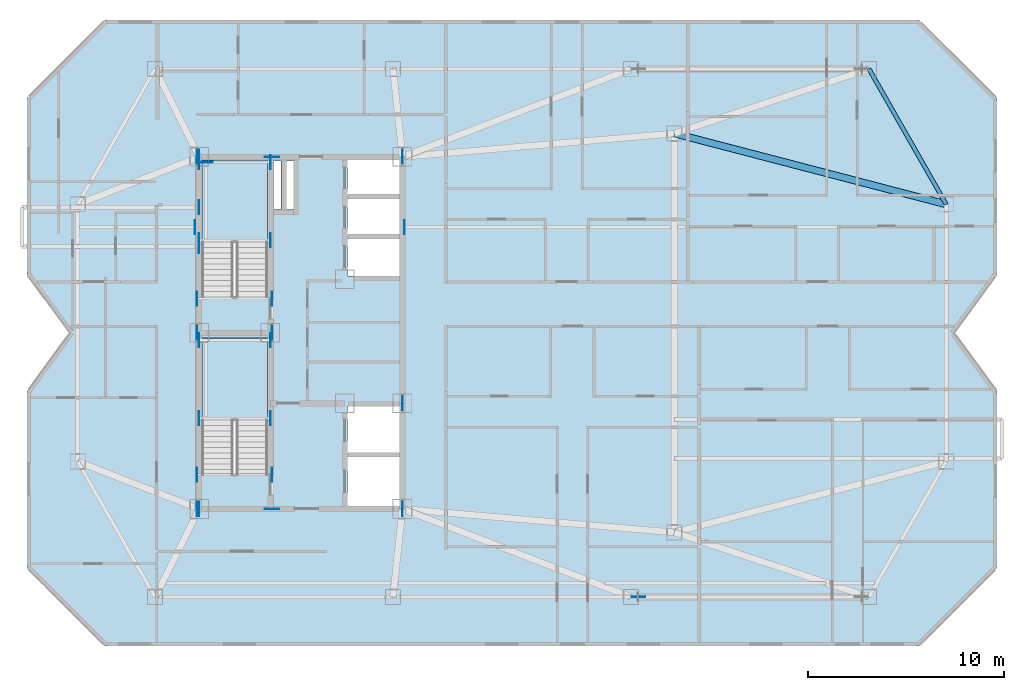
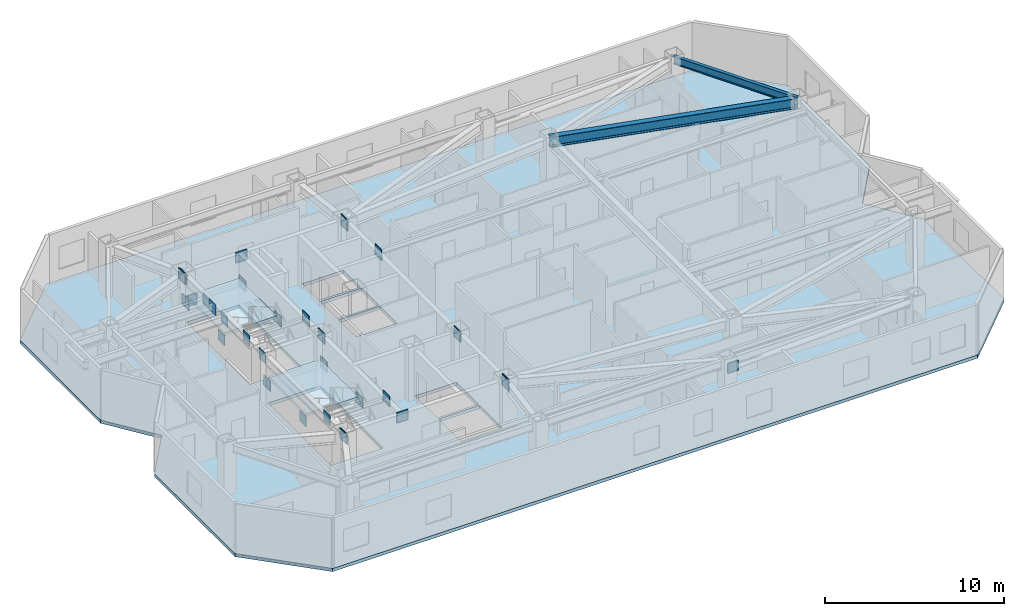
# One storey, part 2 of 10: 31 plates, 3 slabs, 2 beams, 2 elements without a shape of their own.
"""IFC4 building model written with IfcOpenShell, lengths in metres."""

from ifc_helpers import new_model, si_unit, direction, frame, origin, origin_2d, place, context, subcontext, project, spatial, polyline, rectangle, i_section, outline, extrude, material, layer, layer_set, material_profile, profile_set, type_object, element, aggregate, save


model = new_model("IFC4")

# Units and contexts
model_context = context("Model", 3, precision=1e-05, world=origin(), true_north=direction((0.0, 1.0)))
body_context = subcontext(model_context, "Body", "Model", "MODEL_VIEW")
ifc_project = project(units=[si_unit("LENGTHUNIT", "METRE"), si_unit("AREAUNIT", "SQUARE_METRE"), si_unit("VOLUMEUNIT", "CUBIC_METRE"), si_unit("PLANEANGLEUNIT", "RADIAN"), si_unit("MASSUNIT", "GRAM", prefix="KILO")], contexts=[model_context])

# Site, building, storey
site_placement = place(None, origin())
site = spatial("IfcSite", under=ifc_project, at=site_placement, CompositionType="ELEMENT")
building_placement = place(site_placement, origin())
building = spatial("IfcBuilding", under=site, at=building_placement, Name="Khamvora Tower", CompositionType="ELEMENT")
storey_placement = place(building_placement, frame((0.0, 0.0, 257.35009765625)))
storey = spatial("IfcBuildingStorey", under=building, at=storey_placement, Name="L66", CompositionType="ELEMENT", Elevation=257.35009765625)

# Beams
ifc_material_1 = material(Name="Steel S355", Category="steel")
ifc_material_profile_1 = material_profile(ifc_material_1, i_section(OverallWidth=0.35498046875, OverallDepth=0.695068359375, WebThickness=0.014892578125, FlangeThickness=0.02490234375, FilletRadius=0.01611328125, at=origin_2d()), Name="W690x217")
ifc_profile_set_1 = profile_set([ifc_material_profile_1], Name="Steel S355")
beam_type_1 = type_object("IfcBeamType", Name="BM-PG-W690x217", PredefinedType="BEAM", material=ifc_profile_set_1)
beam_1_placement = place(storey_placement, frame((53.300048828125, 38.199951171875, 3.081787109375), z_axis=(0.967635318494, -0.252352710314, 0.0), x_axis=(0.252352710314, 0.967635318494, 0.0)))
element("IfcBeam", 1, at=beam_1_placement, inside=storey, type_object=beam_type_1, Name="L66 primary floor girder E2", PredefinedType="BEAM", context=body_context, shape_type="SweptSolid", body=[
    extrude(i_section(OverallWidth=0.35498046875, OverallDepth=0.695068359375, WebThickness=0.014892578125, FlangeThickness=0.02490234375, FilletRadius=0.01611328125, at=origin_2d()), origin(), (0.0, 0.0, 1.0), 14.36474609375),
])
ifc_material_profile_2 = material_profile(ifc_material_1, i_section(OverallWidth=0.208984375, OverallDepth=0.532958984375, WebThickness=0.010009765625, FlangeThickness=0.01611328125, FilletRadius=0.013916015625, at=origin_2d()), Name="W530x92")
ifc_profile_set_2 = profile_set([ifc_material_profile_2], Name="Steel S355")
beam_type_2 = type_object("IfcBeamType", Name="BM-SP-W530x92", PredefinedType="SPANDREL", material=ifc_profile_set_2)
beam_2_placement = place(storey_placement, frame((67.199951171875, 34.574951171875, 3.162841796875), z_axis=(-0.495456118564, 0.868632968853, 0.0), x_axis=(-0.868632968853, -0.495456118564, 0.0)))
element("IfcBeam", 2, at=beam_2_placement, inside=storey, type_object=beam_type_2, Name="L66 perimeter spandrel beam E2-N4", PredefinedType="SPANDREL", context=body_context, shape_type="SweptSolid", body=[
    extrude(i_section(OverallWidth=0.208984375, OverallDepth=0.532958984375, WebThickness=0.010009765625, FlangeThickness=0.01611328125, FilletRadius=0.013916015625, at=origin_2d()), origin(), (0.0, 0.0, 1.0), 7.972412109375),
])

# Plates
ifc_material_2 = material(Name="Steel S460", Category="steel")
ifc_layer_1 = layer(ifc_material_2, 0.034912109375)
ifc_layer_set_1 = layer_set([ifc_layer_1], Name="Steel S460")
plate_type_1 = type_object("IfcPlateType", Name="PL-EMB-35", PredefinedType="SHEET", material=ifc_layer_set_1)
for number, where, z_axis, x_axis, name in (
    (3, (29.0, 23.635009765625, 1.1337890625), (0.0, 0.0, 1.0), (1.0, 0.0, 0.0), "L66 core shear wall cast-in embed plate 1916"),
    (4, (32.64990234375, 23.635009765625, 1.1337890625), (0.0, 0.0, 1.0), (1.0, 0.0, 0.0), "L66 core shear wall cast-in embed plate 1917"),
    (5, (29.0, 27.6298828125, 1.1337890625), (0.0, 0.0, 1.0), (1.0, 0.0, 0.0), "L66 core shear wall cast-in embed plate 1918"),
    (6, (32.64990234375, 27.6298828125, 1.1337890625), (0.0, 0.0, 1.0), (1.0, 0.0, 0.0), "L66 core shear wall cast-in embed plate 1919"),
    (7, (29.0, 32.735107421875, 1.1337890625), (0.0, 0.0, 1.0), (1.0, 0.0, 0.0), "L66 core shear wall cast-in embed plate 1920"),
    (8, (32.64990234375, 32.735107421875, 1.1337890625), (0.0, 0.0, 1.0), (1.0, 0.0, 0.0), "L66 core shear wall cast-in embed plate 1921"),
    (9, (29.0, 36.72998046875, 1.1337890625), (0.0, 0.0, 1.0), (1.0, 0.0, 0.0), "L66 core shear wall cast-in embed plate 1922"),
    (10, (32.64990234375, 36.72998046875, 1.1337890625), (0.0, 0.0, 1.0), (1.0, 0.0, 0.0), "L66 core shear wall cast-in embed plate 1923"),
):
    element("IfcPlate", number, at=place(storey_placement, frame(where, z_axis=z_axis, x_axis=x_axis)), inside=storey, type_object=plate_type_1, Name=name, PredefinedType="SHEET", context=body_context, shape_type="SweptSolid", body=[
        extrude(rectangle(XDim=0.034912109375, YDim=0.719970703125, at=origin_2d()), origin(), (0.0, 0.0, 1.0), 0.719970703125),
    ])
plate_1_placement = place(storey_placement, frame((29.35009765625, 36.72998046875, 1.1337890625), z_axis=(0.0, 0.0, 1.0), x_axis=(1.0, 0.0, 0.0)))
element("IfcPlate", 11, at=plate_1_placement, inside=storey, type_object=plate_type_1, Name="L66 core shear wall cast-in embed plate 1924", PredefinedType="SHEET", context=body_context, shape_type="SweptSolid", body=[
    extrude(rectangle(XDim=0.719970703125, YDim=0.034912109375, at=origin_2d()), origin(), (0.0, 0.0, 1.0), 0.719970703125),
])
for number, where, z_axis, x_axis, name in (
    (12, (29.0, 19.0, 2.7216796875), (0.0, 0.0, 1.0), (1.0, 0.0, 0.0), "L66 core shear wall cast-in embed plate 1925"),
    (13, (39.39990234375, 19.0, 2.7216796875), (0.0, 0.0, 1.0), (1.0, 0.0, 0.0), "L66 core shear wall cast-in embed plate 1926"),
    (14, (29.0, 37.0, 2.7216796875), (0.0, 0.0, 1.0), (1.0, 0.0, 0.0), "L66 core shear wall cast-in embed plate 1927"),
    (15, (39.39990234375, 37.0, 2.7216796875), (0.0, 0.0, 1.0), (1.0, 0.0, 0.0), "L66 core shear wall cast-in embed plate 1928"),
    (16, (28.89990234375, 19.0, 2.802734375), (0.0, 0.0, 1.0), (1.0, 0.0, 0.0), "L66 core shear wall cast-in embed plate 1929"),
    (17, (28.89990234375, 28.0, 2.802734375), (0.0, 0.0, 1.0), (1.0, 0.0, 0.0), "L66 core shear wall cast-in embed plate 1930"),
    (18, (28.89990234375, 37.0, 2.802734375), (0.0, 0.0, 1.0), (1.0, 0.0, 0.0), "L66 core shear wall cast-in embed plate 1931"),
):
    element("IfcPlate", number, at=place(storey_placement, frame(where, z_axis=z_axis, x_axis=x_axis)), inside=storey, type_object=plate_type_1, Name=name, PredefinedType="SHEET", context=body_context, shape_type="SweptSolid", body=[
        extrude(rectangle(XDim=0.034912109375, YDim=0.719970703125, at=origin_2d()), origin(), (0.0, 0.0, 1.0), 0.719970703125),
    ])
plate_2_placement = place(storey_placement, frame((32.72998046875, 19.0, 2.802734375), z_axis=(0.0, 0.0, 1.0), x_axis=(1.0, 0.0, 0.0)))
element("IfcPlate", 19, at=plate_2_placement, inside=storey, type_object=plate_type_1, Name="L66 core shear wall cast-in embed plate 1932", PredefinedType="SHEET", context=body_context, shape_type="SweptSolid", body=[
    extrude(rectangle(XDim=0.719970703125, YDim=0.034912109375, at=origin_2d()), origin(), (0.0, 0.0, 1.0), 0.719970703125),
])
plate_3_placement = place(storey_placement, frame((32.72998046875, 28.0, 2.802734375), z_axis=(0.0, 0.0, 1.0), x_axis=(1.0, 0.0, 0.0)))
element("IfcPlate", 20, at=plate_3_placement, inside=storey, type_object=plate_type_1, Name="L66 core shear wall cast-in embed plate 1933", PredefinedType="SHEET", context=body_context, shape_type="SweptSolid", body=[
    extrude(rectangle(XDim=0.034912109375, YDim=0.719970703125, at=origin_2d()), origin(), (0.0, 0.0, 1.0), 0.719970703125),
])
plate_4_placement = place(storey_placement, frame((32.72998046875, 37.0, 2.802734375), z_axis=(0.0, 0.0, 1.0), x_axis=(1.0, 0.0, 0.0)))
element("IfcPlate", 21, at=plate_4_placement, inside=storey, type_object=plate_type_1, Name="L66 core shear wall cast-in embed plate 1934", PredefinedType="SHEET", context=body_context, shape_type="SweptSolid", body=[
    extrude(rectangle(XDim=0.719970703125, YDim=0.034912109375, at=origin_2d()), origin(), (0.0, 0.0, 1.0), 0.719970703125),
])
for number, where, z_axis, x_axis, name in (
    (22, (39.39990234375, 19.0, 2.802734375), (0.0, 0.0, 1.0), (1.0, 0.0, 0.0), "L66 core shear wall cast-in embed plate 1935"),
    (23, (39.39990234375, 24.39990234375, 2.802734375), (0.0, 0.0, 1.0), (1.0, 0.0, 0.0), "L66 core shear wall cast-in embed plate 1936"),
    (24, (39.39990234375, 37.0, 2.802734375), (0.0, 0.0, 1.0), (1.0, 0.0, 0.0), "L66 core shear wall cast-in embed plate 1937"),
    (25, (28.89990234375, 20.75, 2.94384765625), (0.0, 0.0, 1.0), (1.0, 0.0, 0.0), "L66 core shear wall cast-in embed plate 1938"),
    (26, (32.72998046875, 20.75, 2.94384765625), (0.0, 0.0, 1.0), (1.0, 0.0, 0.0), "L66 core shear wall cast-in embed plate 1939"),
    (27, (28.89990234375, 29.75, 2.94384765625), (0.0, 0.0, 1.0), (1.0, 0.0, 0.0), "L66 core shear wall cast-in embed plate 1940"),
    (28, (32.72998046875, 29.75, 2.94384765625), (0.0, 0.0, 1.0), (1.0, 0.0, 0.0), "L66 core shear wall cast-in embed plate 1941"),
    (29, (29.0, 32.425048828125, 2.60302734375), (0.0, 0.0, 1.0), (1.0, 0.0, 0.0), "L66 core shear wall cast-in embed plate 1942"),
    (30, (29.0, 34.425048828125, 2.60302734375), (0.0, 0.0, 1.0), (1.0, 0.0, 0.0), "L66 core shear wall cast-in embed plate 1943"),
    (31, (28.800048828125, 33.39990234375, 2.89208984375), (0.0, 0.0, 1.0), (1.0, 0.0, 0.0), "L66 core shear wall cast-in embed plate 1944"),
    (32, (39.4990234375, 33.39990234375, 2.89208984375), (0.0, 0.0, 1.0), (1.0, 0.0, 0.0), "L66 core shear wall cast-in embed plate 1945"),
):
    element("IfcPlate", number, at=place(storey_placement, frame(where, z_axis=z_axis, x_axis=x_axis)), inside=storey, type_object=plate_type_1, Name=name, PredefinedType="SHEET", context=body_context, shape_type="SweptSolid", body=[
        extrude(rectangle(XDim=0.034912109375, YDim=0.719970703125, at=origin_2d()), origin(), (0.0, 0.0, 1.0), 0.719970703125),
    ])
ifc_layer_2 = layer(ifc_material_2, 0.0400390625)
ifc_layer_set_2 = layer_set([ifc_layer_2], Name="Steel S460")
plate_type_2 = type_object("IfcPlateType", Name="PLT-GUS-40", PredefinedType="SHEET", material=ifc_layer_set_2)
plate_5_placement = place(storey_placement, frame((51.462890625, 14.5, 2.35498046875), z_axis=(0.0, 0.0, 1.0), x_axis=(1.0, 0.0, 0.0)))
element("IfcPlate", 33, at=plate_5_placement, inside=storey, type_object=plate_type_2, Name="L66 brace connection node gusset plate 0417", PredefinedType="SHEET", context=body_context, shape_type="SweptSolid", body=[
    extrude(rectangle(XDim=0.679931640625, YDim=0.0400390625, at=origin_2d()), origin(), (0.0, 0.0, 1.0), 0.679931640625),
])

# Stair, slab
ifc_material_3 = material(Name="Concrete C40/50", Category="concrete")
stair_type_1 = type_object("IfcStairType", Name="STR-ST-01", PredefinedType="HALF_TURN_STAIR", material=ifc_material_3)
stair_1_placement = place(storey_placement, origin())
stair_1 = element("IfcStair", 34, at=stair_1_placement, inside=storey, type_object=stair_type_1, Name="L66 South Tower Exit Stair ST-01", PredefinedType="HALF_TURN_STAIR")
ifc_layer_3 = layer(ifc_material_3, 0.199951171875)
ifc_layer_set_3 = layer_set([ifc_layer_3], Name="Concrete C40/50")
slab_type_1 = type_object("IfcSlabType", Name="SLB-LND-200", PredefinedType="LANDING", material=ifc_layer_set_3)
slab_1_placement = place(storey_placement, frame((0.0, 0.0, 1.625)))
slab_1 = element("IfcSlab", 35, at=slab_1_placement, type_object=slab_type_1, Name="ST-01 landing 1", PredefinedType="LANDING", context=body_context, shape_type="SweptSolid", body=[
    extrude(outline(polyline([(32.5, 23.514892578125), (32.5, 27.75), (29.14990234375, 27.75), (29.14990234375, 23.514892578125), (32.5, 23.514892578125)])), origin(), (0.0, 0.0, 1.0), 0.199951171875),
])
aggregate(stair_1, [slab_1])

stair_type_2 = type_object("IfcStairType", Name="STR-ST-02", PredefinedType="HALF_TURN_STAIR", material=ifc_material_3)
stair_2_placement = place(storey_placement, origin())
stair_2 = element("IfcStair", 36, at=stair_2_placement, inside=storey, type_object=stair_type_2, Name="L66 North Tower Exit Stair ST-02", PredefinedType="HALF_TURN_STAIR")
slab_2_placement = place(storey_placement, frame((0.0, 0.0, 1.625)))
slab_2 = element("IfcSlab", 37, at=slab_2_placement, type_object=slab_type_1, Name="ST-02 landing 1", PredefinedType="LANDING", context=body_context, shape_type="SweptSolid", body=[
    extrude(outline(polyline([(32.5, 32.614990234375), (32.5, 36.85009765625), (29.14990234375, 36.85009765625), (29.14990234375, 32.614990234375), (32.5, 32.614990234375)])), origin(), (0.0, 0.0, 1.0), 0.199951171875),
])
aggregate(stair_2, [slab_2])

# Slab
ifc_material_4 = material(Name="Concrete C35/45", Category="concrete")
ifc_layer_4 = layer(ifc_material_4, 0.219970703125)
ifc_layer_set_4 = layer_set([ifc_layer_4], Name="Concrete C35/45")
slab_type_2 = type_object("IfcSlabType", Name="SLB-TYP-220", PredefinedType="FLOOR", material=ifc_layer_set_4)
slab_3_placement = place(storey_placement, frame((0.0, 0.0, -0.22021484375)))
element("IfcSlab", 38, at=slab_3_placement, inside=storey, type_object=slab_type_2, Name="L66 structural floor slab", PredefinedType="FLOOR", context=body_context, shape_type="SweptSolid", body=[
    extrude(outline(polyline([(24.199951171875, 12.0), (65.800048828125, 12.0), (69.800048828125, 16.0), (69.800048828125, 25.0), (67.60009765625, 28.0), (69.800048828125, 31.0), (69.800048828125, 40.0), (65.800048828125, 44.0), (24.199951171875, 44.0), (20.199951171875, 40.0), (20.199951171875, 31.0), (22.39990234375, 28.0), (20.199951171875, 25.0), (20.199951171875, 16.0), (24.199951171875, 12.0)]), holes=[polyline([(32.5, 20.760009765625), (32.5, 27.75), (29.14990234375, 27.75), (29.14990234375, 20.760009765625), (32.5, 20.760009765625)]), polyline([(32.5, 29.860107421875), (32.5, 36.85009765625), (29.14990234375, 36.85009765625), (29.14990234375, 29.860107421875), (32.5, 29.860107421875)]), polyline([(36.60009765625, 19.14990234375), (39.25, 19.14990234375), (39.25, 21.64990234375), (36.60009765625, 21.64990234375), (36.60009765625, 19.14990234375)]), polyline([(36.60009765625, 21.800048828125), (39.25, 21.800048828125), (39.25, 24.25), (36.60009765625, 24.25), (36.60009765625, 21.800048828125)]), polyline([(36.60009765625, 30.89990234375), (39.25, 30.89990234375), (39.25, 32.800048828125), (36.60009765625, 32.800048828125), (36.60009765625, 30.89990234375)]), polyline([(36.60009765625, 32.949951171875), (39.25, 32.949951171875), (39.25, 34.85009765625), (36.60009765625, 34.85009765625), (36.60009765625, 32.949951171875)]), polyline([(36.60009765625, 35.0), (39.25, 35.0), (39.25, 36.85009765625), (36.60009765625, 36.85009765625), (36.60009765625, 35.0)]), polyline([(32.800048828125, 34.300048828125), (33.199951171875, 34.300048828125), (33.199951171875, 36.800048828125), (32.800048828125, 36.800048828125), (32.800048828125, 34.300048828125)]), polyline([(33.47998046875, 34.300048828125), (33.820068359375, 34.300048828125), (33.820068359375, 36.800048828125), (33.47998046875, 36.800048828125), (33.47998046875, 34.300048828125)])]), origin(), (0.0, 0.0, 1.0), 0.22021484375),
])

save(model, "model.ifc")
